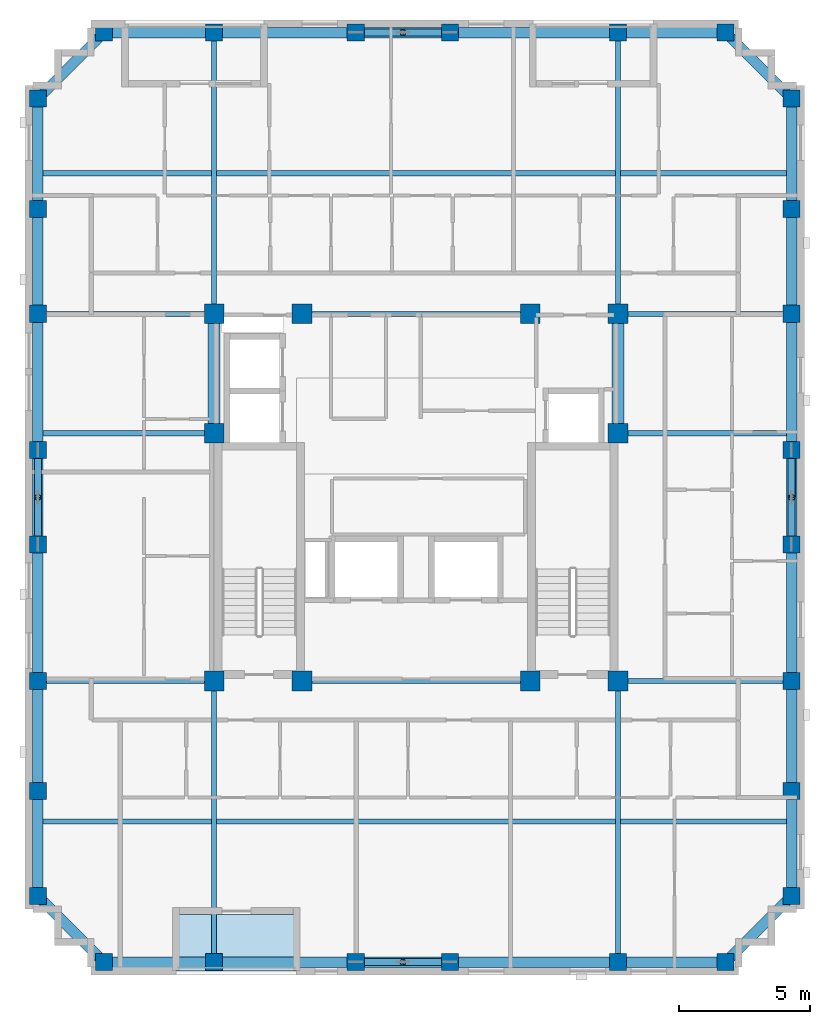
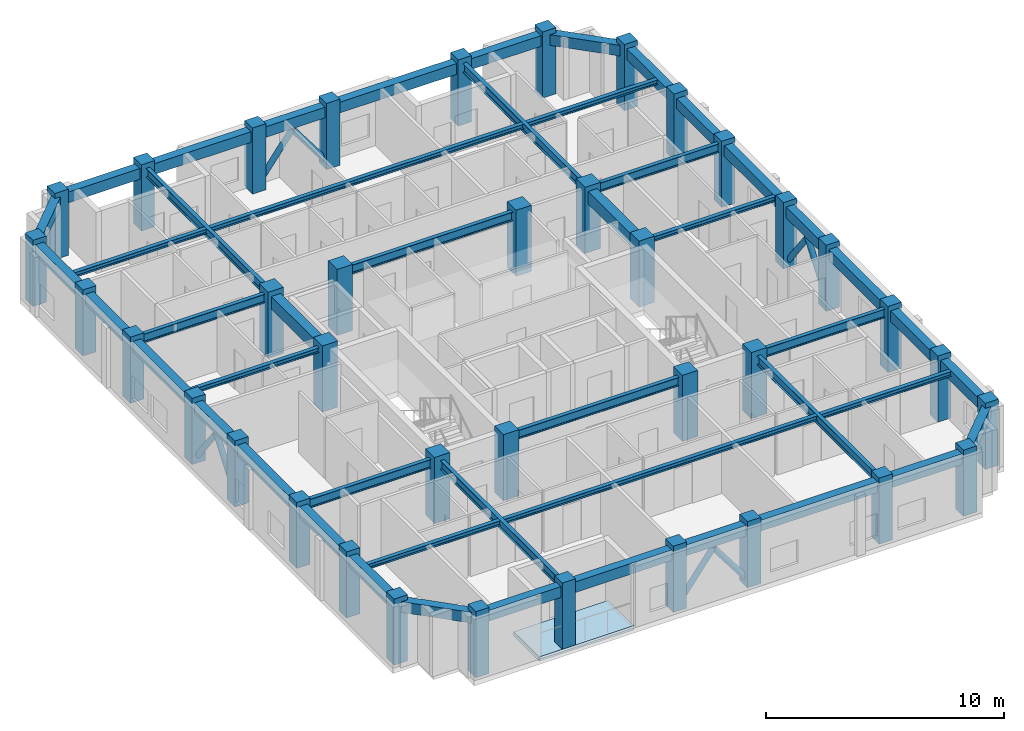
# One storey, part 1 of 11: 48 beams, 38 columns, 8 members, 1 slab.
"""IFC4 building model written with IfcOpenShell, lengths in metres."""

from ifc_helpers import new_model, si_unit, derived_unit, direction, frame, origin, origin_2d, place, context, subcontext, project, spatial, polyline, rectangle, hollow_circle, i_section, outline, extrude, material, layer, layer_set, material_profile, profile_set, type_object, element, save


model = new_model("IFC4")

# Units and contexts
model_context = context("Model", 3, precision=1e-05, world=origin(), true_north=direction((0.0, 1.0)))
body_context = subcontext(model_context, "Body", "Model", "MODEL_VIEW")
ifc_project = project(units=[si_unit("LENGTHUNIT", "METRE"), si_unit("AREAUNIT", "SQUARE_METRE"), si_unit("VOLUMEUNIT", "CUBIC_METRE"), si_unit("PLANEANGLEUNIT", "RADIAN"), si_unit("MASSUNIT", "GRAM", prefix="KILO"), derived_unit("THERMALTRANSMITTANCEUNIT", [(si_unit("MASSUNIT", "GRAM", prefix="KILO"), 1), (si_unit("TIMEUNIT", "SECOND"), -3), (si_unit("THERMODYNAMICTEMPERATUREUNIT", "KELVIN"), -1)])], contexts=[model_context])

# Site, building, storey
site_placement = place(None, origin())
site = spatial("IfcSite", under=ifc_project, at=site_placement, CompositionType="ELEMENT")
building_placement = place(site_placement, origin())
building = spatial("IfcBuilding", under=site, at=building_placement, Name="Korrvale Station Residences", CompositionType="ELEMENT")
storey_placement = place(building_placement, frame((0.0, 0.0, 247.89990234375)))
storey = spatial("IfcBuildingStorey", under=building, at=storey_placement, Name="L72", CompositionType="ELEMENT", Elevation=247.89990234375)

# Columns
ifc_material_1 = material(Name="Concrete C50/60", Category="concrete")
ifc_material_profile_1 = material_profile(ifc_material_1, rectangle(XDim=0.64990234375, YDim=0.64990234375, at=origin_2d()), Name="RC650x650")
ifc_profile_set_1 = profile_set([ifc_material_profile_1], Name="Concrete C50/60")
column_type_1 = type_object("IfcColumnType", Name="COL-C-RC650x650-C5060", PredefinedType="COLUMN", material=ifc_profile_set_1)
for number, where, z_axis, x_axis, name in (
    (1, (13.60009765625, 4.280029296875, 0.0), (0.0, 0.0, 1.0), (1.0, 0.0, 0.0), "L72 Bundled-Tube South Column 01"),
    (2, (17.800048828125, 4.280029296875, 0.0), (0.0, 0.0, 1.0), (1.0, 0.0, 0.0), "L72 Bundled-Tube South Column 02"),
    (3, (23.199951171875, 4.280029296875, 0.0), (0.0, 0.0, 1.0), (1.0, 0.0, 0.0), "L72 Bundled-Tube South Column 03"),
    (4, (26.800048828125, 4.280029296875, 0.0), (0.0, 0.0, 1.0), (1.0, 0.0, 0.0), "L72 Bundled-Tube South Column 04"),
    (5, (33.199951171875, 4.280029296875, 0.0), (0.0, 0.0, 1.0), (1.0, 0.0, 0.0), "L72 Bundled-Tube South Column 05"),
    (6, (37.300048828125, 4.280029296875, 0.0), (0.0, 0.0, 1.0), (1.0, 0.0, 0.0), "L72 Bundled-Tube South Column 06"),
    (7, (13.60009765625, 39.719970703125, 0.0), (0.0, 0.0, 1.0), (1.0, 0.0, 0.0), "L72 Bundled-Tube North Column 07"),
    (8, (17.800048828125, 39.719970703125, 0.0), (0.0, 0.0, 1.0), (1.0, 0.0, 0.0), "L72 Bundled-Tube North Column 08"),
    (9, (23.199951171875, 39.719970703125, 0.0), (0.0, 0.0, 1.0), (1.0, 0.0, 0.0), "L72 Bundled-Tube North Column 09"),
    (10, (26.800048828125, 39.719970703125, 0.0), (0.0, 0.0, 1.0), (1.0, 0.0, 0.0), "L72 Bundled-Tube North Column 10"),
    (11, (33.199951171875, 39.719970703125, 0.0), (0.0, 0.0, 1.0), (1.0, 0.0, 0.0), "L72 Bundled-Tube North Column 11"),
    (12, (37.300048828125, 39.719970703125, 0.0), (0.0, 0.0, 1.0), (1.0, 0.0, 0.0), "L72 Bundled-Tube North Column 12"),
    (13, (11.080078125, 6.800048828125, 0.0), (0.0, 0.0, 1.0), (1.0, 0.0, 0.0), "L72 Bundled-Tube West Column 13"),
    (14, (11.080078125, 10.800048828125, 0.0), (0.0, 0.0, 1.0), (1.0, 0.0, 0.0), "L72 Bundled-Tube West Column 14"),
    (15, (11.080078125, 15.0, 0.0), (0.0, 0.0, 1.0), (1.0, 0.0, 0.0), "L72 Bundled-Tube West Column 15"),
    (16, (11.080078125, 20.199951171875, 0.0), (0.0, 0.0, 1.0), (1.0, 0.0, 0.0), "L72 Bundled-Tube West Column 16"),
    (17, (11.080078125, 23.800048828125, 0.0), (0.0, 0.0, 1.0), (1.0, 0.0, 0.0), "L72 Bundled-Tube West Column 17"),
    (18, (11.080078125, 29.0, 0.0), (0.0, 0.0, 1.0), (1.0, 0.0, 0.0), "L72 Bundled-Tube West Column 18"),
    (19, (11.080078125, 33.0, 0.0), (0.0, 0.0, 1.0), (1.0, 0.0, 0.0), "L72 Bundled-Tube West Column 19"),
    (20, (11.080078125, 37.199951171875, 0.0), (0.0, 0.0, 1.0), (1.0, 0.0, 0.0), "L72 Bundled-Tube West Column 20"),
    (21, (39.820068359375, 6.800048828125, 0.0), (0.0, 0.0, 1.0), (1.0, 0.0, 0.0), "L72 Bundled-Tube East Column 21"),
    (22, (39.820068359375, 10.800048828125, 0.0), (0.0, 0.0, 1.0), (1.0, 0.0, 0.0), "L72 Bundled-Tube East Column 22"),
    (23, (39.820068359375, 15.0, 0.0), (0.0, 0.0, 1.0), (1.0, 0.0, 0.0), "L72 Bundled-Tube East Column 23"),
    (24, (39.820068359375, 20.199951171875, 0.0), (0.0, 0.0, 1.0), (1.0, 0.0, 0.0), "L72 Bundled-Tube East Column 24"),
    (25, (39.820068359375, 23.800048828125, 0.0), (0.0, 0.0, 1.0), (1.0, 0.0, 0.0), "L72 Bundled-Tube East Column 25"),
    (26, (39.820068359375, 29.0, 0.0), (0.0, 0.0, 1.0), (1.0, 0.0, 0.0), "L72 Bundled-Tube East Column 26"),
    (27, (39.820068359375, 33.0, 0.0), (0.0, 0.0, 1.0), (1.0, 0.0, 0.0), "L72 Bundled-Tube East Column 27"),
    (28, (39.820068359375, 37.199951171875, 0.0), (0.0, 0.0, 1.0), (1.0, 0.0, 0.0), "L72 Bundled-Tube East Column 28"),
):
    element("IfcColumn", number, at=place(storey_placement, frame(where, z_axis=z_axis, x_axis=x_axis)), inside=storey, type_object=column_type_1, Name=name, PredefinedType="COLUMN", context=body_context, shape_type="SweptSolid", body=[
        extrude(rectangle(XDim=0.64990234375, YDim=0.64990234375, at=origin_2d()), origin(), (0.0, 0.0, 1.0), 3.400146484375),
    ])
ifc_material_profile_2 = material_profile(ifc_material_1, rectangle(XDim=0.75, YDim=0.75, at=origin_2d()), Name="RC750x750")
ifc_profile_set_2 = profile_set([ifc_material_profile_2], Name="Concrete C50/60")
column_type_2 = type_object("IfcColumnType", Name="COL-C-RC750x750-C5060", PredefinedType="COLUMN", material=ifc_profile_set_2)
for number, where, z_axis, x_axis, name in (
    (29, (17.800048828125, 15.0, 0.0), (0.0, 0.0, 1.0), (1.0, 0.0, 0.0), "L72 Core Column 01"),
    (30, (21.14990234375, 15.0, 0.0), (0.0, 0.0, 1.0), (1.0, 0.0, 0.0), "L72 Core Column 02"),
    (31, (29.85009765625, 15.0, 0.0), (0.0, 0.0, 1.0), (1.0, 0.0, 0.0), "L72 Core Column 03"),
    (32, (33.199951171875, 15.0, 0.0), (0.0, 0.0, 1.0), (1.0, 0.0, 0.0), "L72 Core Column 04"),
    (33, (17.800048828125, 29.0, 0.0), (0.0, 0.0, 1.0), (1.0, 0.0, 0.0), "L72 Core Column 05"),
    (34, (21.14990234375, 29.0, 0.0), (0.0, 0.0, 1.0), (1.0, 0.0, 0.0), "L72 Core Column 06"),
    (35, (29.85009765625, 29.0, 0.0), (0.0, 0.0, 1.0), (1.0, 0.0, 0.0), "L72 Core Column 07"),
    (36, (33.199951171875, 29.0, 0.0), (0.0, 0.0, 1.0), (1.0, 0.0, 0.0), "L72 Core Column 08"),
    (37, (17.800048828125, 24.449951171875, 0.0), (0.0, 0.0, 1.0), (1.0, 0.0, 0.0), "L72 Core Column 09"),
    (38, (33.199951171875, 24.449951171875, 0.0), (0.0, 0.0, 1.0), (1.0, 0.0, 0.0), "L72 Core Column 10"),
):
    element("IfcColumn", number, at=place(storey_placement, frame(where, z_axis=z_axis, x_axis=x_axis)), inside=storey, type_object=column_type_2, Name=name, PredefinedType="COLUMN", context=body_context, shape_type="SweptSolid", body=[
        extrude(rectangle(XDim=0.75, YDim=0.75, at=origin_2d()), origin(), (0.0, 0.0, 1.0), 3.400146484375),
    ])

# Beams
ifc_material_2 = material(Name="Steel S355", Category="steel")
ifc_material_profile_3 = material_profile(ifc_material_2, i_section(OverallWidth=0.18994140625, OverallDepth=0.45703125, WebThickness=0.009033203125, FlangeThickness=0.014404296875, FilletRadius=0.01611328125, at=origin_2d()), Name="W460x74")
ifc_profile_set_3 = profile_set([ifc_material_profile_3], Name="Steel S355")
beam_type_1 = type_object("IfcBeamType", Name="BM-BM-W460x74-S355", PredefinedType="BEAM", material=ifc_profile_set_3)
for number, where, z_axis, x_axis, name in (
    (39, (17.800048828125, 4.280029296875, 2.91162109375), (0.0, 1.0, 0.0), (-1.0, 0.0, 0.0), "L72 Bundled-Tube Web Girder 01"),
    (40, (33.199951171875, 4.280029296875, 2.91162109375), (0.0, 1.0, 0.0), (-1.0, 0.0, 0.0), "L72 Bundled-Tube Web Girder 02"),
    (41, (17.800048828125, 29.0, 2.91162109375), (0.0, 1.0, 0.0), (-1.0, 0.0, 0.0), "L72 Bundled-Tube Web Girder 03"),
    (42, (33.199951171875, 29.0, 2.91162109375), (0.0, 1.0, 0.0), (-1.0, 0.0, 0.0), "L72 Bundled-Tube Web Girder 04"),
):
    element("IfcBeam", number, at=place(storey_placement, frame(where, z_axis=z_axis, x_axis=x_axis)), inside=storey, type_object=beam_type_1, Name=name, PredefinedType="BEAM", context=body_context, shape_type="SweptSolid", body=[
        extrude(i_section(OverallWidth=0.18994140625, OverallDepth=0.45703125, WebThickness=0.009033203125, FlangeThickness=0.014404296875, FilletRadius=0.01611328125, at=origin_2d()), origin(), (0.0, 0.0, 1.0), 10.719970703125),
    ])
beam_1_placement = place(storey_placement, frame((11.080078125, 15.0, 2.91162109375), z_axis=(1.0, 0.0, 0.0), x_axis=(0.0, 1.0, 0.0)))
element("IfcBeam", 43, at=beam_1_placement, inside=storey, type_object=beam_type_1, Name="L72 Bundled-Tube Web Girder 05", PredefinedType="BEAM", context=body_context, shape_type="SweptSolid", body=[
    extrude(i_section(OverallWidth=0.18994140625, OverallDepth=0.45703125, WebThickness=0.009033203125, FlangeThickness=0.014404296875, FilletRadius=0.01611328125, at=origin_2d()), origin(), (0.0, 0.0, 1.0), 6.719970703125),
])
beam_2_placement = place(storey_placement, frame((33.199951171875, 15.0, 2.91162109375), z_axis=(1.0, 0.0, 0.0), x_axis=(0.0, 1.0, 0.0)))
element("IfcBeam", 44, at=beam_2_placement, inside=storey, type_object=beam_type_1, Name="L72 Bundled-Tube Web Girder 06", PredefinedType="BEAM", context=body_context, shape_type="SweptSolid", body=[
    extrude(i_section(OverallWidth=0.18994140625, OverallDepth=0.45703125, WebThickness=0.009033203125, FlangeThickness=0.014404296875, FilletRadius=0.01611328125, at=origin_2d()), origin(), (0.0, 0.0, 1.0), 6.6201171875),
])
beam_3_placement = place(storey_placement, frame((11.080078125, 29.0, 2.91162109375), z_axis=(1.0, 0.0, 0.0), x_axis=(0.0, 1.0, 0.0)))
element("IfcBeam", 45, at=beam_3_placement, inside=storey, type_object=beam_type_1, Name="L72 Bundled-Tube Web Girder 07", PredefinedType="BEAM", context=body_context, shape_type="SweptSolid", body=[
    extrude(i_section(OverallWidth=0.18994140625, OverallDepth=0.45703125, WebThickness=0.009033203125, FlangeThickness=0.014404296875, FilletRadius=0.01611328125, at=origin_2d()), origin(), (0.0, 0.0, 1.0), 6.719970703125),
])
beam_4_placement = place(storey_placement, frame((33.199951171875, 29.0, 2.91162109375), z_axis=(1.0, 0.0, 0.0), x_axis=(0.0, 1.0, 0.0)))
element("IfcBeam", 46, at=beam_4_placement, inside=storey, type_object=beam_type_1, Name="L72 Bundled-Tube Web Girder 08", PredefinedType="BEAM", context=body_context, shape_type="SweptSolid", body=[
    extrude(i_section(OverallWidth=0.18994140625, OverallDepth=0.45703125, WebThickness=0.009033203125, FlangeThickness=0.014404296875, FilletRadius=0.01611328125, at=origin_2d()), origin(), (0.0, 0.0, 1.0), 6.6201171875),
])
for number, where, z_axis, x_axis, name in (
    (47, (21.14990234375, 15.0, 2.91162109375), (1.0, 0.0, 0.0), (0.0, 1.0, 0.0), "L72 Bundled-Tube Web Girder 09"),
    (48, (21.14990234375, 29.0, 2.91162109375), (1.0, 0.0, 0.0), (0.0, 1.0, 0.0), "L72 Bundled-Tube Web Girder 10"),
):
    element("IfcBeam", number, at=place(storey_placement, frame(where, z_axis=z_axis, x_axis=x_axis)), inside=storey, type_object=beam_type_1, Name=name, PredefinedType="BEAM", context=body_context, shape_type="SweptSolid", body=[
        extrude(i_section(OverallWidth=0.18994140625, OverallDepth=0.45703125, WebThickness=0.009033203125, FlangeThickness=0.014404296875, FilletRadius=0.01611328125, at=origin_2d()), origin(), (0.0, 0.0, 1.0), 8.7001953125),
    ])
ifc_material_profile_4 = material_profile(ifc_material_2, i_section(OverallWidth=0.201904296875, OverallDepth=0.2470703125, WebThickness=0.00732421875, FlangeThickness=0.010986328125, FilletRadius=0.012939453125, at=origin_2d()), Name="W250x49")
ifc_profile_set_4 = profile_set([ifc_material_profile_4], Name="Steel S355")
beam_type_2 = type_object("IfcBeamType", Name="BM-JST-W250x49-S355", PredefinedType="JOIST", material=ifc_profile_set_4)
beam_5_placement = place(storey_placement, frame((11.280029296875, 9.639892578125, 3.0166015625), z_axis=(1.0, 0.0, 0.0), x_axis=(0.0, 1.0, 0.0)))
element("IfcBeam", 49, at=beam_5_placement, inside=storey, type_object=beam_type_2, Name="L72 Floor Framing Joist 01", PredefinedType="JOIST", context=body_context, shape_type="SweptSolid", body=[
    extrude(i_section(OverallWidth=0.201904296875, OverallDepth=0.2470703125, WebThickness=0.00732421875, FlangeThickness=0.010986328125, FilletRadius=0.012939453125, at=origin_2d()), origin(), (0.0, 0.0, 1.0), 6.425048828125),
])
beam_6_placement = place(storey_placement, frame((17.89501953125, 9.639892578125, 3.0166015625), z_axis=(1.0, 0.0, 0.0), x_axis=(0.0, 1.0, 0.0)))
element("IfcBeam", 50, at=beam_6_placement, inside=storey, type_object=beam_type_2, Name="L72 Floor Framing Joist 02", PredefinedType="JOIST", context=body_context, shape_type="SweptSolid", body=[
    extrude(i_section(OverallWidth=0.201904296875, OverallDepth=0.2470703125, WebThickness=0.00732421875, FlangeThickness=0.010986328125, FilletRadius=0.012939453125, at=origin_2d()), origin(), (0.0, 0.0, 1.0), 15.2099609375),
])
beam_7_placement = place(storey_placement, frame((33.294921875, 9.639892578125, 3.0166015625), z_axis=(1.0, 0.0, 0.0), x_axis=(0.0, 1.0, 0.0)))
element("IfcBeam", 51, at=beam_7_placement, inside=storey, type_object=beam_type_2, Name="L72 Floor Framing Joist 03", PredefinedType="JOIST", context=body_context, shape_type="SweptSolid", body=[
    extrude(i_section(OverallWidth=0.201904296875, OverallDepth=0.2470703125, WebThickness=0.00732421875, FlangeThickness=0.010986328125, FilletRadius=0.012939453125, at=origin_2d()), origin(), (0.0, 0.0, 1.0), 6.3251953125),
])
beam_8_placement = place(storey_placement, frame((11.280029296875, 34.360107421875, 3.0166015625), z_axis=(1.0, 0.0, 0.0), x_axis=(0.0, 1.0, 0.0)))
element("IfcBeam", 52, at=beam_8_placement, inside=storey, type_object=beam_type_2, Name="L72 Floor Framing Joist 04", PredefinedType="JOIST", context=body_context, shape_type="SweptSolid", body=[
    extrude(i_section(OverallWidth=0.201904296875, OverallDepth=0.2470703125, WebThickness=0.00732421875, FlangeThickness=0.010986328125, FilletRadius=0.012939453125, at=origin_2d()), origin(), (0.0, 0.0, 1.0), 6.425048828125),
])
beam_9_placement = place(storey_placement, frame((17.89501953125, 34.360107421875, 3.0166015625), z_axis=(1.0, 0.0, 0.0), x_axis=(0.0, 1.0, 0.0)))
element("IfcBeam", 53, at=beam_9_placement, inside=storey, type_object=beam_type_2, Name="L72 Floor Framing Joist 05", PredefinedType="JOIST", context=body_context, shape_type="SweptSolid", body=[
    extrude(i_section(OverallWidth=0.201904296875, OverallDepth=0.2470703125, WebThickness=0.00732421875, FlangeThickness=0.010986328125, FilletRadius=0.012939453125, at=origin_2d()), origin(), (0.0, 0.0, 1.0), 15.2099609375),
])
beam_10_placement = place(storey_placement, frame((33.294921875, 34.360107421875, 3.0166015625), z_axis=(1.0, 0.0, 0.0), x_axis=(0.0, 1.0, 0.0)))
element("IfcBeam", 54, at=beam_10_placement, inside=storey, type_object=beam_type_2, Name="L72 Floor Framing Joist 06", PredefinedType="JOIST", context=body_context, shape_type="SweptSolid", body=[
    extrude(i_section(OverallWidth=0.201904296875, OverallDepth=0.2470703125, WebThickness=0.00732421875, FlangeThickness=0.010986328125, FilletRadius=0.012939453125, at=origin_2d()), origin(), (0.0, 0.0, 1.0), 6.3251953125),
])
beam_11_placement = place(storey_placement, frame((33.425048828125, 24.449951171875, 3.0166015625), z_axis=(1.0, 0.0, 0.0), x_axis=(0.0, 1.0, 0.0)))
element("IfcBeam", 55, at=beam_11_placement, inside=storey, type_object=beam_type_2, Name="L72 Floor Framing Joist 07", PredefinedType="JOIST", context=body_context, shape_type="SweptSolid", body=[
    extrude(i_section(OverallWidth=0.201904296875, OverallDepth=0.2470703125, WebThickness=0.00732421875, FlangeThickness=0.010986328125, FilletRadius=0.012939453125, at=origin_2d()), origin(), (0.0, 0.0, 1.0), 6.195068359375),
])
beam_12_placement = place(storey_placement, frame((11.280029296875, 24.449951171875, 3.0166015625), z_axis=(1.0, 0.0, 0.0), x_axis=(0.0, 1.0, 0.0)))
element("IfcBeam", 56, at=beam_12_placement, inside=storey, type_object=beam_type_2, Name="L72 Floor Framing Joist 08", PredefinedType="JOIST", context=body_context, shape_type="SweptSolid", body=[
    extrude(i_section(OverallWidth=0.201904296875, OverallDepth=0.2470703125, WebThickness=0.00732421875, FlangeThickness=0.010986328125, FilletRadius=0.012939453125, at=origin_2d()), origin(), (0.0, 0.0, 1.0), 6.294921875),
])
ifc_material_profile_5 = material_profile(ifc_material_1, rectangle(XDim=0.449951171875, YDim=0.64990234375, at=origin_2d()), Name="RCB450x650")
ifc_profile_set_5 = profile_set([ifc_material_profile_5], Name="Concrete C50/60")
beam_type_3 = type_object("IfcBeamType", Name="BM-LNT-RCB450x650-C5060", PredefinedType="LINTEL", material=ifc_profile_set_5)
for number, where, z_axis, x_axis, name in (
    (57, (17.800048828125, 24.449951171875, 2.815185546875), (0.0, 1.0, 0.0), (-1.0, 0.0, 0.0), "L72 Core Coupling Lintel 1"),
    (58, (33.199951171875, 24.449951171875, 2.815185546875), (0.0, 1.0, 0.0), (-1.0, 0.0, 0.0), "L72 Core Coupling Lintel 2"),
):
    element("IfcBeam", number, at=place(storey_placement, frame(where, z_axis=z_axis, x_axis=x_axis)), inside=storey, type_object=beam_type_3, Name=name, PredefinedType="LINTEL", context=body_context, shape_type="SweptSolid", body=[
        extrude(rectangle(XDim=0.449951171875, YDim=0.64990234375, at=origin_2d()), origin(), (0.0, 0.0, 1.0), 4.550048828125),
    ])
ifc_material_profile_6 = material_profile(ifc_material_1, rectangle(XDim=0.39990234375, YDim=0.550048828125, at=origin_2d()), Name="RCB400x550")
ifc_profile_set_6 = profile_set([ifc_material_profile_6], Name="Concrete C50/60")
beam_type_4 = type_object("IfcBeamType", Name="BM-SPB-RCB400x550-C5060", PredefinedType="SPANDREL", material=ifc_profile_set_6)
beam_13_placement = place(storey_placement, frame((13.60009765625, 4.280029296875, 2.864990234375), z_axis=(1.0, 0.0, 0.0), x_axis=(0.0, 1.0, 0.0)))
element("IfcBeam", 59, at=beam_13_placement, inside=storey, type_object=beam_type_4, Name="L72 South Tube Spandrel 01", PredefinedType="SPANDREL", context=body_context, shape_type="SweptSolid", body=[
    extrude(rectangle(XDim=0.39990234375, YDim=0.550048828125, at=origin_2d()), origin(), (0.0, 0.0, 1.0), 4.199951171875),
])
beam_14_placement = place(storey_placement, frame((17.800048828125, 4.280029296875, 2.864990234375), z_axis=(1.0, 0.0, 0.0), x_axis=(0.0, 1.0, 0.0)))
element("IfcBeam", 60, at=beam_14_placement, inside=storey, type_object=beam_type_4, Name="L72 South Tube Spandrel 02", PredefinedType="SPANDREL", context=body_context, shape_type="SweptSolid", body=[
    extrude(rectangle(XDim=0.39990234375, YDim=0.550048828125, at=origin_2d()), origin(), (0.0, 0.0, 1.0), 5.39990234375),
])
beam_15_placement = place(storey_placement, frame((23.199951171875, 4.280029296875, 2.864990234375), z_axis=(1.0, 0.0, 0.0), x_axis=(0.0, 1.0, 0.0)))
element("IfcBeam", 61, at=beam_15_placement, inside=storey, type_object=beam_type_4, Name="L72 South Tube Spandrel 03", PredefinedType="SPANDREL", context=body_context, shape_type="SweptSolid", body=[
    extrude(rectangle(XDim=0.39990234375, YDim=0.550048828125, at=origin_2d()), origin(), (0.0, 0.0, 1.0), 3.60009765625),
])
beam_16_placement = place(storey_placement, frame((26.800048828125, 4.280029296875, 2.864990234375), z_axis=(1.0, 0.0, 0.0), x_axis=(0.0, 1.0, 0.0)))
element("IfcBeam", 62, at=beam_16_placement, inside=storey, type_object=beam_type_4, Name="L72 South Tube Spandrel 04", PredefinedType="SPANDREL", context=body_context, shape_type="SweptSolid", body=[
    extrude(rectangle(XDim=0.39990234375, YDim=0.550048828125, at=origin_2d()), origin(), (0.0, 0.0, 1.0), 6.39990234375),
])
beam_17_placement = place(storey_placement, frame((33.199951171875, 4.280029296875, 2.864990234375), z_axis=(1.0, 0.0, 0.0), x_axis=(0.0, 1.0, 0.0)))
element("IfcBeam", 63, at=beam_17_placement, inside=storey, type_object=beam_type_4, Name="L72 South Tube Spandrel 05", PredefinedType="SPANDREL", context=body_context, shape_type="SweptSolid", body=[
    extrude(rectangle(XDim=0.39990234375, YDim=0.550048828125, at=origin_2d()), origin(), (0.0, 0.0, 1.0), 4.10009765625),
])
beam_18_placement = place(storey_placement, frame((13.60009765625, 39.719970703125, 2.864990234375), z_axis=(1.0, 0.0, 0.0), x_axis=(0.0, 1.0, 0.0)))
element("IfcBeam", 64, at=beam_18_placement, inside=storey, type_object=beam_type_4, Name="L72 North Tube Spandrel 06", PredefinedType="SPANDREL", context=body_context, shape_type="SweptSolid", body=[
    extrude(rectangle(XDim=0.39990234375, YDim=0.550048828125, at=origin_2d()), origin(), (0.0, 0.0, 1.0), 4.199951171875),
])
beam_19_placement = place(storey_placement, frame((17.800048828125, 39.719970703125, 2.864990234375), z_axis=(1.0, 0.0, 0.0), x_axis=(0.0, 1.0, 0.0)))
element("IfcBeam", 65, at=beam_19_placement, inside=storey, type_object=beam_type_4, Name="L72 North Tube Spandrel 07", PredefinedType="SPANDREL", context=body_context, shape_type="SweptSolid", body=[
    extrude(rectangle(XDim=0.39990234375, YDim=0.550048828125, at=origin_2d()), origin(), (0.0, 0.0, 1.0), 5.39990234375),
])
beam_20_placement = place(storey_placement, frame((23.199951171875, 39.719970703125, 2.864990234375), z_axis=(1.0, 0.0, 0.0), x_axis=(0.0, 1.0, 0.0)))
element("IfcBeam", 66, at=beam_20_placement, inside=storey, type_object=beam_type_4, Name="L72 North Tube Spandrel 08", PredefinedType="SPANDREL", context=body_context, shape_type="SweptSolid", body=[
    extrude(rectangle(XDim=0.39990234375, YDim=0.550048828125, at=origin_2d()), origin(), (0.0, 0.0, 1.0), 3.60009765625),
])
beam_21_placement = place(storey_placement, frame((26.800048828125, 39.719970703125, 2.864990234375), z_axis=(1.0, 0.0, 0.0), x_axis=(0.0, 1.0, 0.0)))
element("IfcBeam", 67, at=beam_21_placement, inside=storey, type_object=beam_type_4, Name="L72 North Tube Spandrel 09", PredefinedType="SPANDREL", context=body_context, shape_type="SweptSolid", body=[
    extrude(rectangle(XDim=0.39990234375, YDim=0.550048828125, at=origin_2d()), origin(), (0.0, 0.0, 1.0), 6.39990234375),
])
beam_22_placement = place(storey_placement, frame((33.199951171875, 39.719970703125, 2.864990234375), z_axis=(1.0, 0.0, 0.0), x_axis=(0.0, 1.0, 0.0)))
element("IfcBeam", 68, at=beam_22_placement, inside=storey, type_object=beam_type_4, Name="L72 North Tube Spandrel 10", PredefinedType="SPANDREL", context=body_context, shape_type="SweptSolid", body=[
    extrude(rectangle(XDim=0.39990234375, YDim=0.550048828125, at=origin_2d()), origin(), (0.0, 0.0, 1.0), 4.10009765625),
])
beam_23_placement = place(storey_placement, frame((11.080078125, 6.800048828125, 2.864990234375), z_axis=(0.0, 1.0, 0.0), x_axis=(-1.0, 0.0, 0.0)))
element("IfcBeam", 69, at=beam_23_placement, inside=storey, type_object=beam_type_4, Name="L72 West Tube Spandrel 11", PredefinedType="SPANDREL", context=body_context, shape_type="SweptSolid", body=[
    extrude(rectangle(XDim=0.39990234375, YDim=0.550048828125, at=origin_2d()), origin(), (0.0, 0.0, 1.0), 4.0),
])
beam_24_placement = place(storey_placement, frame((11.080078125, 10.800048828125, 2.864990234375), z_axis=(0.0, 1.0, 0.0), x_axis=(-1.0, 0.0, 0.0)))
element("IfcBeam", 70, at=beam_24_placement, inside=storey, type_object=beam_type_4, Name="L72 West Tube Spandrel 12", PredefinedType="SPANDREL", context=body_context, shape_type="SweptSolid", body=[
    extrude(rectangle(XDim=0.39990234375, YDim=0.550048828125, at=origin_2d()), origin(), (0.0, 0.0, 1.0), 4.199951171875),
])
beam_25_placement = place(storey_placement, frame((11.080078125, 15.0, 2.864990234375), z_axis=(0.0, 1.0, 0.0), x_axis=(-1.0, 0.0, 0.0)))
element("IfcBeam", 71, at=beam_25_placement, inside=storey, type_object=beam_type_4, Name="L72 West Tube Spandrel 13", PredefinedType="SPANDREL", context=body_context, shape_type="SweptSolid", body=[
    extrude(rectangle(XDim=0.39990234375, YDim=0.550048828125, at=origin_2d()), origin(), (0.0, 0.0, 1.0), 5.199951171875),
])
beam_26_placement = place(storey_placement, frame((11.080078125, 20.199951171875, 2.864990234375), z_axis=(0.0, 1.0, 0.0), x_axis=(-1.0, 0.0, 0.0)))
element("IfcBeam", 72, at=beam_26_placement, inside=storey, type_object=beam_type_4, Name="L72 West Tube Spandrel 14", PredefinedType="SPANDREL", context=body_context, shape_type="SweptSolid", body=[
    extrude(rectangle(XDim=0.39990234375, YDim=0.550048828125, at=origin_2d()), origin(), (0.0, 0.0, 1.0), 3.60009765625),
])
beam_27_placement = place(storey_placement, frame((11.080078125, 23.800048828125, 2.864990234375), z_axis=(0.0, 1.0, 0.0), x_axis=(-1.0, 0.0, 0.0)))
element("IfcBeam", 73, at=beam_27_placement, inside=storey, type_object=beam_type_4, Name="L72 West Tube Spandrel 15", PredefinedType="SPANDREL", context=body_context, shape_type="SweptSolid", body=[
    extrude(rectangle(XDim=0.39990234375, YDim=0.550048828125, at=origin_2d()), origin(), (0.0, 0.0, 1.0), 5.199951171875),
])
beam_28_placement = place(storey_placement, frame((11.080078125, 29.0, 2.864990234375), z_axis=(0.0, 1.0, 0.0), x_axis=(-1.0, 0.0, 0.0)))
element("IfcBeam", 74, at=beam_28_placement, inside=storey, type_object=beam_type_4, Name="L72 West Tube Spandrel 16", PredefinedType="SPANDREL", context=body_context, shape_type="SweptSolid", body=[
    extrude(rectangle(XDim=0.39990234375, YDim=0.550048828125, at=origin_2d()), origin(), (0.0, 0.0, 1.0), 4.0),
])
beam_29_placement = place(storey_placement, frame((11.080078125, 33.0, 2.864990234375), z_axis=(0.0, 1.0, 0.0), x_axis=(-1.0, 0.0, 0.0)))
element("IfcBeam", 75, at=beam_29_placement, inside=storey, type_object=beam_type_4, Name="L72 West Tube Spandrel 17", PredefinedType="SPANDREL", context=body_context, shape_type="SweptSolid", body=[
    extrude(rectangle(XDim=0.39990234375, YDim=0.550048828125, at=origin_2d()), origin(), (0.0, 0.0, 1.0), 4.199951171875),
])
beam_30_placement = place(storey_placement, frame((39.820068359375, 6.800048828125, 2.864990234375), z_axis=(0.0, 1.0, 0.0), x_axis=(-1.0, 0.0, 0.0)))
element("IfcBeam", 76, at=beam_30_placement, inside=storey, type_object=beam_type_4, Name="L72 East Tube Spandrel 18", PredefinedType="SPANDREL", context=body_context, shape_type="SweptSolid", body=[
    extrude(rectangle(XDim=0.39990234375, YDim=0.550048828125, at=origin_2d()), origin(), (0.0, 0.0, 1.0), 4.0),
])
beam_31_placement = place(storey_placement, frame((39.820068359375, 10.800048828125, 2.864990234375), z_axis=(0.0, 1.0, 0.0), x_axis=(-1.0, 0.0, 0.0)))
element("IfcBeam", 77, at=beam_31_placement, inside=storey, type_object=beam_type_4, Name="L72 East Tube Spandrel 19", PredefinedType="SPANDREL", context=body_context, shape_type="SweptSolid", body=[
    extrude(rectangle(XDim=0.39990234375, YDim=0.550048828125, at=origin_2d()), origin(), (0.0, 0.0, 1.0), 4.199951171875),
])
beam_32_placement = place(storey_placement, frame((39.820068359375, 15.0, 2.864990234375), z_axis=(0.0, 1.0, 0.0), x_axis=(-1.0, 0.0, 0.0)))
element("IfcBeam", 78, at=beam_32_placement, inside=storey, type_object=beam_type_4, Name="L72 East Tube Spandrel 20", PredefinedType="SPANDREL", context=body_context, shape_type="SweptSolid", body=[
    extrude(rectangle(XDim=0.39990234375, YDim=0.550048828125, at=origin_2d()), origin(), (0.0, 0.0, 1.0), 5.199951171875),
])
beam_33_placement = place(storey_placement, frame((39.820068359375, 20.199951171875, 2.864990234375), z_axis=(0.0, 1.0, 0.0), x_axis=(-1.0, 0.0, 0.0)))
element("IfcBeam", 79, at=beam_33_placement, inside=storey, type_object=beam_type_4, Name="L72 East Tube Spandrel 21", PredefinedType="SPANDREL", context=body_context, shape_type="SweptSolid", body=[
    extrude(rectangle(XDim=0.39990234375, YDim=0.550048828125, at=origin_2d()), origin(), (0.0, 0.0, 1.0), 3.60009765625),
])
beam_34_placement = place(storey_placement, frame((39.820068359375, 23.800048828125, 2.864990234375), z_axis=(0.0, 1.0, 0.0), x_axis=(-1.0, 0.0, 0.0)))
element("IfcBeam", 80, at=beam_34_placement, inside=storey, type_object=beam_type_4, Name="L72 East Tube Spandrel 22", PredefinedType="SPANDREL", context=body_context, shape_type="SweptSolid", body=[
    extrude(rectangle(XDim=0.39990234375, YDim=0.550048828125, at=origin_2d()), origin(), (0.0, 0.0, 1.0), 5.199951171875),
])
beam_35_placement = place(storey_placement, frame((39.820068359375, 29.0, 2.864990234375), z_axis=(0.0, 1.0, 0.0), x_axis=(-1.0, 0.0, 0.0)))
element("IfcBeam", 81, at=beam_35_placement, inside=storey, type_object=beam_type_4, Name="L72 East Tube Spandrel 23", PredefinedType="SPANDREL", context=body_context, shape_type="SweptSolid", body=[
    extrude(rectangle(XDim=0.39990234375, YDim=0.550048828125, at=origin_2d()), origin(), (0.0, 0.0, 1.0), 4.0),
])
beam_36_placement = place(storey_placement, frame((39.820068359375, 33.0, 2.864990234375), z_axis=(0.0, 1.0, 0.0), x_axis=(-1.0, 0.0, 0.0)))
element("IfcBeam", 82, at=beam_36_placement, inside=storey, type_object=beam_type_4, Name="L72 East Tube Spandrel 24", PredefinedType="SPANDREL", context=body_context, shape_type="SweptSolid", body=[
    extrude(rectangle(XDim=0.39990234375, YDim=0.550048828125, at=origin_2d()), origin(), (0.0, 0.0, 1.0), 4.199951171875),
])
for number, where, z_axis, x_axis, name in (
    (83, (13.60009765625, 4.280029296875, 2.864990234375), (-0.707106781187, 0.707106781187, 0.0), (-0.707106781187, -0.707106781187, 0.0), "L72 Serrated Corner Spandrel 25"),
    (84, (37.300048828125, 4.280029296875, 2.864990234375), (0.707106781187, 0.707106781187, 0.0), (-0.707106781187, 0.707106781187, 0.0), "L72 Serrated Corner Spandrel 26"),
    (85, (37.300048828125, 39.719970703125, 2.864990234375), (0.707106781187, -0.707106781187, 0.0), (0.707106781187, 0.707106781187, 0.0), "L72 Serrated Corner Spandrel 27"),
    (86, (13.60009765625, 39.719970703125, 2.864990234375), (-0.707106781187, -0.707106781187, 0.0), (0.707106781187, -0.707106781187, 0.0), "L72 Serrated Corner Spandrel 28"),
):
    element("IfcBeam", number, at=place(storey_placement, frame(where, z_axis=z_axis, x_axis=x_axis)), inside=storey, type_object=beam_type_4, Name=name, PredefinedType="SPANDREL", context=body_context, shape_type="SweptSolid", body=[
        extrude(rectangle(XDim=0.39990234375, YDim=0.550048828125, at=origin_2d()), origin(), (0.0, 0.0, 1.0), 3.56396484375),
    ])

# Members
ifc_material_profile_7 = material_profile(ifc_material_2, hollow_circle(Radius=0.136474609375, WallThickness=0.015869140625, at=origin_2d()), Name="HSS273x16")
ifc_profile_set_7 = profile_set([ifc_material_profile_7], Name="Steel S355")
member_type = type_object("IfcMemberType", Name="MBR-BR-HSS273x16", PredefinedType="BRACE", material=ifc_profile_set_7)
for number, where, z_axis, x_axis, name in (
    (87, (23.199951171875, 4.280029296875, 0.02001953125), (0.601591523035, 0.0, 0.798803880444), (0.0, 1.0, 0.0), "L72 S Perimeter Tube Wind Brace 1"),
    (88, (26.800048828125, 4.280029296875, 0.02001953125), (-0.601591523035, 0.0, 0.798803880444), (0.0, -1.0, 0.0), "L72 S Perimeter Tube Wind Brace 2"),
    (89, (23.199951171875, 39.719970703125, 0.02001953125), (0.601591523035, 0.0, 0.798803880444), (0.0, 1.0, 0.0), "L72 N Perimeter Tube Wind Brace 1"),
    (90, (26.800048828125, 39.719970703125, 0.02001953125), (-0.601591523035, 0.0, 0.798803880444), (0.0, -1.0, 0.0), "L72 N Perimeter Tube Wind Brace 2"),
    (91, (11.080078125, 20.199951171875, 0.02001953125), (0.0, 0.601591523035, 0.798803880444), (-1.0, 0.0, 0.0), "L72 W Perimeter Tube Wind Brace 1"),
    (92, (11.080078125, 23.800048828125, 0.02001953125), (0.0, -0.601591523035, 0.798803880444), (1.0, 0.0, 0.0), "L72 W Perimeter Tube Wind Brace 2"),
    (93, (39.820068359375, 20.199951171875, 0.02001953125), (0.0, 0.601591523035, 0.798803880444), (-1.0, 0.0, 0.0), "L72 E Perimeter Tube Wind Brace 1"),
    (94, (39.820068359375, 23.800048828125, 0.02001953125), (0.0, -0.601591523035, 0.798803880444), (1.0, 0.0, 0.0), "L72 E Perimeter Tube Wind Brace 2"),
):
    element("IfcMember", number, at=place(storey_placement, frame(where, z_axis=z_axis, x_axis=x_axis)), inside=storey, type_object=member_type, Name=name, PredefinedType="BRACE", context=body_context, shape_type="SweptSolid", body=[
        extrude(hollow_circle(Radius=0.136474609375, WallThickness=0.015869140625, at=origin_2d()), origin(), (0.0, 0.0, 1.0), 2.9921875),
    ])

# Slab
ifc_layer = layer(ifc_material_1, 0.219970703125, Name="Concrete C50/60")
ifc_layer_set = layer_set([ifc_layer], Name="Concrete C50/60")
slab_type = type_object("IfcSlabType", Name="SLB-BAL-220", PredefinedType="FLOOR", material=ifc_layer_set)
slab_placement = place(storey_placement, frame((0.0, 0.0, -0.219970703125)))
element("IfcSlab", 95, at=slab_placement, inside=storey, type_object=slab_type, Name="L72 Recessed Loggia Balcony Slab BAL-L72-S1", PredefinedType="FLOOR", context=body_context, shape_type="SweptSolid", body=[
    extrude(outline(polyline([(16.35009765625, 3.949951171875), (20.949951171875, 3.949951171875), (20.949951171875, 6.10009765625), (16.35009765625, 6.10009765625), (16.35009765625, 3.949951171875)])), origin(), (0.0, 0.0, 1.0), 0.219970703125),
])

save(model, "model.ifc")
